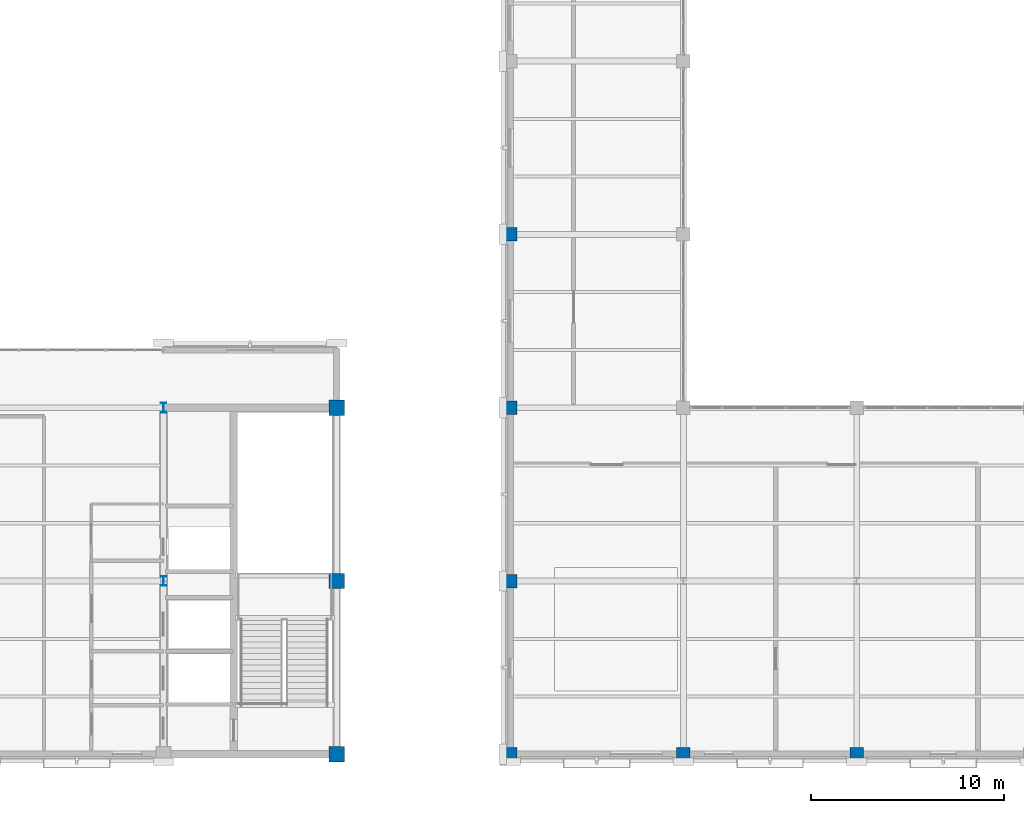
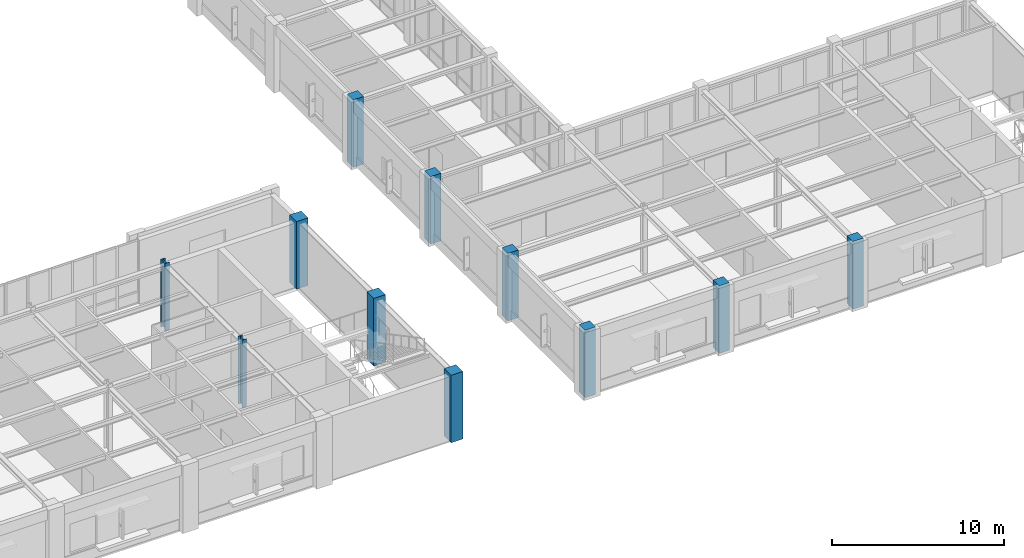
# One storey, part 5 of 98: 11 columns.
"""IFC4 building model written with IfcOpenShell, lengths in metres."""

from ifc_helpers import new_model, si_unit, direction, frame, origin, origin_2d, place, context, subcontext, project, spatial, rectangle, i_section, extrude, material, material_profile, profile_set, type_object, element, save


model = new_model("IFC4")

# Units and contexts
model_context = context("Model", 3, precision=1e-05, world=origin(), true_north=direction((0.0, 1.0)))
body_context = subcontext(model_context, "Body", "Model", "MODEL_VIEW")
ifc_project = project(units=[si_unit("LENGTHUNIT", "METRE"), si_unit("AREAUNIT", "SQUARE_METRE"), si_unit("VOLUMEUNIT", "CUBIC_METRE"), si_unit("PLANEANGLEUNIT", "RADIAN"), si_unit("MASSUNIT", "GRAM", prefix="KILO")], contexts=[model_context])

# Site, building, storey
site_placement = place(None, origin())
site = spatial("IfcSite", under=ifc_project, at=site_placement, CompositionType="ELEMENT")
building_placement = place(site_placement, origin())
building = spatial("IfcBuilding", under=site, at=building_placement, Name="Lykobir Media Centre", CompositionType="ELEMENT")
storey_placement = place(building_placement, frame((0.0, 0.0, 10.199951171875)))
storey = spatial("IfcBuildingStorey", under=building, at=storey_placement, Name="L02", CompositionType="ELEMENT", Elevation=10.199951171875)

# Columns
ifc_material_1 = material(Name="Concrete C40/50", Category="concrete")
ifc_material_profile_1 = material_profile(ifc_material_1, rectangle(XDim=0.699951171875, YDim=0.699951171875, at=origin_2d()), Name="RC 700x700")
ifc_profile_set_1 = profile_set([ifc_material_profile_1], Name="Concrete C40/50")
column_type_1 = type_object("IfcColumnType", Name="RC-C700-E", PredefinedType="COLUMN", material=ifc_profile_set_1)
for number, where, z_axis, x_axis, name in (
    (1, (90.0, 0.0, 0.0), (0.0, 0.0, 1.0), (1.0, 0.0, 0.0), "Column COL-L02-0900-0000"),
    (2, (90.0, 9.0, 0.0), (0.0, 0.0, 1.0), (1.0, 0.0, 0.0), "Column COL-L02-0900-0090"),
    (3, (90.0, 18.0, 0.0), (0.0, 0.0, 1.0), (1.0, 0.0, 0.0), "Column COL-L02-0900-0180"),
    (4, (90.0, 27.0, 0.0), (0.0, 0.0, 1.0), (1.0, 0.0, 0.0), "Column COL-L02-0900-0270"),
    (5, (99.0, 0.0, 0.0), (0.0, 0.0, 1.0), (1.0, 0.0, 0.0), "Column COL-L02-0990-0000"),
    (6, (108.0, 0.0, 0.0), (0.0, 0.0, 1.0), (1.0, 0.0, 0.0), "Column COL-L02-1080-0000"),
):
    element("IfcColumn", number, at=place(storey_placement, frame(where, z_axis=z_axis, x_axis=x_axis)), inside=storey, type_object=column_type_1, Name=name, PredefinedType="COLUMN", context=body_context, shape_type="SweptSolid", body=[
        extrude(rectangle(XDim=0.699951171875, YDim=0.699951171875, at=origin_2d()), origin(), (0.0, 0.0, 1.0), 4.800048828125),
    ])
ifc_material_profile_2 = material_profile(ifc_material_1, rectangle(XDim=0.800048828125, YDim=0.800048828125, at=origin_2d()), Name="RC 800x800")
ifc_profile_set_2 = profile_set([ifc_material_profile_2], Name="Concrete C40/50")
column_type_2 = type_object("IfcColumnType", Name="RC-C800-E", PredefinedType="COLUMN", material=ifc_profile_set_2)
for number, where, z_axis, x_axis, name in (
    (7, (81.0, 0.0, 0.0), (0.0, 0.0, 1.0), (1.0, 0.0, 0.0), "Column COL-L02-0810-0000"),
    (8, (81.0, 9.0, 0.0), (0.0, 0.0, 1.0), (1.0, 0.0, 0.0), "Column COL-L02-0810-0090"),
    (9, (81.0, 18.0, 0.0), (0.0, 0.0, 1.0), (1.0, 0.0, 0.0), "Column COL-L02-0810-0180"),
):
    element("IfcColumn", number, at=place(storey_placement, frame(where, z_axis=z_axis, x_axis=x_axis)), inside=storey, type_object=column_type_2, Name=name, PredefinedType="COLUMN", context=body_context, shape_type="SweptSolid", body=[
        extrude(rectangle(XDim=0.800048828125, YDim=0.800048828125, at=origin_2d()), origin(), (0.0, 0.0, 1.0), 4.800048828125),
    ])
ifc_material_2 = material(Name="Steel S355", Category="steel")
ifc_material_profile_3 = material_profile(ifc_material_2, i_section(OverallWidth=0.300048828125, OverallDepth=0.5, WebThickness=0.014404296875, FlangeThickness=0.028076171875, at=origin_2d()), Name="HEB 500")
ifc_profile_set_3 = profile_set([ifc_material_profile_3], Name="Steel S355")
column_type_3 = type_object("IfcColumnType", Name="SC-HEB500", PredefinedType="COLUMN", material=ifc_profile_set_3)
for number, where, z_axis, x_axis, name in (
    (10, (72.0, 9.0, 0.0), (0.0, 0.0, 1.0), (1.0, 0.0, 0.0), "Column COL-L02-0720-0090"),
    (11, (72.0, 18.0, 0.0), (0.0, 0.0, 1.0), (1.0, 0.0, 0.0), "Column COL-L02-0720-0180"),
):
    element("IfcColumn", number, at=place(storey_placement, frame(where, z_axis=z_axis, x_axis=x_axis)), inside=storey, type_object=column_type_3, Name=name, PredefinedType="COLUMN", context=body_context, shape_type="SweptSolid", body=[
        extrude(i_section(OverallWidth=0.300048828125, OverallDepth=0.5, WebThickness=0.014404296875, FlangeThickness=0.028076171875, at=origin_2d()), origin(), (0.0, 0.0, 1.0), 4.800048828125),
    ])

save(model, "model.ifc")
